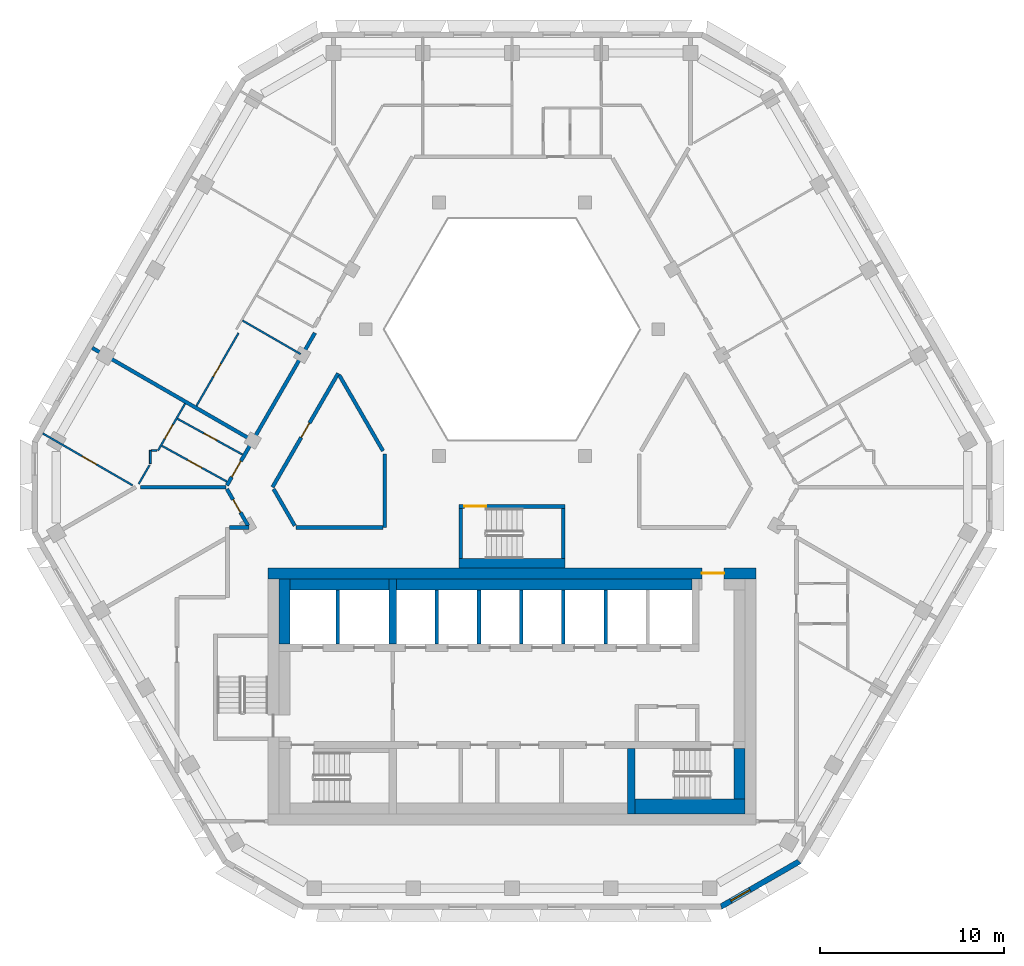
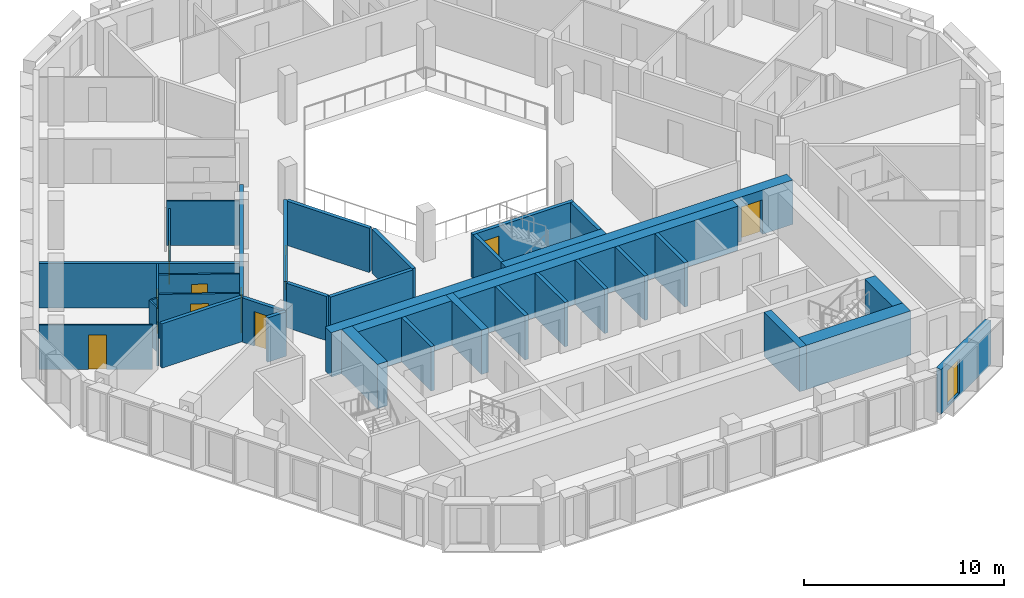
# One storey, part 4 of 15: 38 walls, 10 doors, 1 window, 11 openings.
"""IFC4 building model written with IfcOpenShell, lengths in metres."""

from ifc_helpers import new_model, si_unit, direction, frame, frame_2d, origin, place, context, subcontext, project, spatial, polyline, rectangle, outline, extrude, material, layer, layer_set, type_object, element, fill, save


model = new_model("IFC4")

# Units and contexts
model_context = context("Model", 3, precision=1e-05, world=origin(), true_north=direction((0.0, 1.0)))
body_context = subcontext(model_context, "Body", "Model", "MODEL_VIEW")
ifc_project = project(units=[si_unit("LENGTHUNIT", "METRE"), si_unit("AREAUNIT", "SQUARE_METRE"), si_unit("VOLUMEUNIT", "CUBIC_METRE"), si_unit("PLANEANGLEUNIT", "RADIAN"), si_unit("MASSUNIT", "GRAM", prefix="KILO")], contexts=[model_context])

# Site, building, storey
site_placement = place(None, origin())
site = spatial("IfcSite", under=ifc_project, at=site_placement, CompositionType="ELEMENT")
building_placement = place(site_placement, origin())
building = spatial("IfcBuilding", under=site, at=building_placement, Name="Beryl Residences", CompositionType="ELEMENT")
storey_placement = place(building_placement, frame((0.0, 0.0, 193.199951171875)))
storey = spatial("IfcBuildingStorey", under=building, at=storey_placement, Name="L59", CompositionType="ELEMENT", Elevation=193.199951171875)

# Wall, opening, window
ifc_material_1 = material(Name="Composite metal panel with mineral wool insulation")
ifc_layer_1 = layer(ifc_material_1, 0.300048828125)
ifc_layer_set_1 = layer_set([ifc_layer_1], Name="ES1 pale metal composite panel wall 300 mm")
wall_type_1 = type_object("IfcWallType", Name="ES1 pale metal composite panel wall 300 mm", PredefinedType="SOLIDWALL", material=ifc_layer_set_1)
wall_1_placement = place(storey_placement, frame((11.35595703125, -23.469970703125, 0.0), z_axis=(0.0, 0.0, 1.0), x_axis=(0.866022959057, 0.500004234368, 0.0)))
wall_1 = element("IfcWall", 1, at=wall_1_placement, inside=storey, type_object=wall_type_1, Name="ES1 external wall L59 S-SE", PredefinedType="SOLIDWALL", context=body_context, shape_type="SweptSolid", body=[
    extrude(outline(polyline([(0.0, -0.14990234375), (5.0, -0.14990234375), (4.919677734375, 0.14990234375), (0.080322265625, 0.14990234375), (0.0, -0.14990234375)])), origin(), (0.0, 0.0, 1.0), 2.699951171875),
])
opening_1_placement = place(wall_1_placement, frame((0.64990234375, 0.0, 0.14990234375)))
opening_1 = element("IfcOpeningElement", 2, at=opening_1_placement, cuts=wall_1, Name="Opening W2", PredefinedType="OPENING", context=body_context, shape_type="SweptSolid", body=[
    extrude(rectangle(XDim=1.199951171875, YDim=2.10009765625, at=frame_2d((0.60009765625, 1.050048828125))), frame((0.0, 0.159912109375, 0.0), z_axis=(0.0, -1.0, 0.0), x_axis=(1.0, 0.0, 0.0)), (0.0, 0.0, 1.0), 0.320068359375),
])
ifc_material_2 = material(Name="Aluminium and clear glass", Category="aluminium")
window_type = type_object("IfcWindowType", Name="W2 chamfer window 1200 x 2100 mm", PartitioningType="SINGLE_PANEL", PredefinedType="WINDOW", material=ifc_material_2)
window_placement = place(opening_1_placement, origin())
window = element("IfcWindow", 3, at=window_placement, inside=storey, type_object=window_type, Name="W2 window L59 S-SE 1", OverallHeight=2.10009765625, OverallWidth=1.199951171875, PartitioningType="SINGLE_PANEL", PredefinedType="WINDOW", context=body_context, shape_type="SweptSolid", body=[
    extrude(rectangle(XDim=1.199951171875, YDim=2.10009765625, at=frame_2d((0.60009765625, 1.050048828125))), frame((0.0, 0.030029296875, 0.0), z_axis=(0.0, -1.0, 0.0), x_axis=(1.0, 0.0, 0.0)), (0.0, 0.0, 1.0), 0.06005859375),
])
fill(opening_1, window)

# Wall, opening, door
ifc_material_3 = material(Name="Gypsum board partition on steel studs", Category="steel")
ifc_layer_2 = layer(ifc_material_3, 0.10009765625)
ifc_layer_set_2 = layer_set([ifc_layer_2], Name="PT1 partition 100 mm gypsum board on steel studs")
wall_type_2 = type_object("IfcWallType", Name="PT1 partition 100 mm gypsum board on steel studs", PredefinedType="PARTITIONING", material=ifc_layer_set_2)
wall_2_placement = place(storey_placement, frame((-18.22900390625, 3.1259765625, 0.0), z_axis=(0.0, 0.0, 1.0), x_axis=(0.876123002581, -0.482087631399, 0.0)))
wall_2 = element("IfcWall", 4, at=wall_2_placement, inside=storey, type_object=wall_type_2, Name="Wall PT1 L59 008", PredefinedType="PARTITIONING", context=body_context, shape_type="SweptSolid", body=[
    extrude(rectangle(XDim=4.05078125, YDim=0.10009765625, at=frame_2d((2.025390625, 0.0))), origin(), (0.0, 0.0, 1.0), 2.699951171875),
])
opening_2_placement = place(wall_2_placement, frame((1.64990234375, 0.0, 0.0)))
opening_2 = element("IfcOpeningElement", 5, at=opening_2_placement, cuts=wall_2, Name="Opening D1727", PredefinedType="OPENING", context=body_context, shape_type="SweptSolid", body=[
    extrude(rectangle(XDim=0.800048828125, YDim=2.10009765625, at=frame_2d((0.39990234375, 1.050048828125))), frame((0.0, 0.06005859375, 0.0), z_axis=(0.0, -1.0, 0.0), x_axis=(1.0, 0.0, 0.0)), (0.0, 0.0, 1.0), 0.1201171875),
])
ifc_material_4 = material(Name="Timber door leaf", Category="wood")
door_type_1 = type_object("IfcDoorType", Name="D3 bathroom door 800 x 2100 mm", OperationType="SINGLE_SWING_LEFT", PredefinedType="DOOR", material=ifc_material_4)
door_1_placement = place(opening_2_placement, origin())
door_1 = element("IfcDoor", 6, at=door_1_placement, inside=storey, type_object=door_type_1, Name="Door D1727 L59 001", OperationType="SINGLE_SWING_LEFT", OverallHeight=2.10009765625, OverallWidth=0.800048828125, PredefinedType="DOOR", context=body_context, shape_type="SweptSolid", body=[
    extrude(rectangle(XDim=0.800048828125, YDim=2.10009765625, at=frame_2d((0.39990234375, 1.050048828125))), frame((0.0, 0.02490234375, 0.0), z_axis=(0.0, -1.0, 0.0), x_axis=(1.0, 0.0, 0.0)), (0.0, 0.0, 1.0), 0.050048828125),
])
fill(opening_2, door_1)

wall_3_placement = place(storey_placement, frame((-19.0791015625, 1.653076171875, 0.0), z_axis=(0.0, 0.0, 1.0), x_axis=(0.876097546615, -0.482133890963, 0.0)))
wall_3 = element("IfcWall", 7, at=wall_3_placement, inside=storey, type_object=wall_type_2, Name="Wall PT1 L59 009", PredefinedType="PARTITIONING", context=body_context, shape_type="SweptSolid", body=[
    extrude(rectangle(XDim=4.051025390625, YDim=0.10009765625, at=frame_2d((2.025390625, 0.0))), origin(), (0.0, 0.0, 1.0), 2.699951171875),
])
opening_3_placement = place(wall_3_placement, frame((1.60009765625, 0.0, 0.0)))
opening_3 = element("IfcOpeningElement", 8, at=opening_3_placement, cuts=wall_3, Name="Opening D1726", PredefinedType="OPENING", context=body_context, shape_type="SweptSolid", body=[
    extrude(rectangle(XDim=0.89990234375, YDim=2.10009765625, at=frame_2d((0.449951171875, 1.050048828125))), frame((0.0, 0.06005859375, 0.0), z_axis=(0.0, -1.0, 0.0), x_axis=(1.0, 0.0, 0.0)), (0.0, 0.0, 1.0), 0.1201171875),
])
ifc_material_5 = material(Name="Timber door leaf", Category="wood")
door_type_2 = type_object("IfcDoorType", Name="D2 room door 900 x 2100 mm", OperationType="SINGLE_SWING_LEFT", PredefinedType="DOOR", material=ifc_material_5)
door_2_placement = place(opening_3_placement, origin())
door_2 = element("IfcDoor", 9, at=door_2_placement, inside=storey, type_object=door_type_2, Name="Door D1726 L59 001", OperationType="SINGLE_SWING_RIGHT", OverallHeight=2.10009765625, OverallWidth=0.89990234375, PredefinedType="DOOR", context=body_context, shape_type="SweptSolid", body=[
    extrude(rectangle(XDim=0.89990234375, YDim=2.10009765625, at=frame_2d((0.449951171875, 1.050048828125))), frame((0.0, 0.02490234375, 0.0), z_axis=(0.0, -1.0, 0.0), x_axis=(1.0, 0.0, 0.0)), (0.0, 0.0, 1.0), 0.050048828125),
])
fill(opening_3, door_2)

wall_4_placement = place(storey_placement, frame((-25.56201171875, 2.324951171875, 0.0), z_axis=(0.0, 0.0, 1.0), x_axis=(0.865998530728, -0.500046542611, 0.0)))
wall_4 = element("IfcWall", 10, at=wall_4_placement, inside=storey, type_object=wall_type_2, Name="Wall PT1 L59 012", PredefinedType="PARTITIONING", context=body_context, shape_type="SweptSolid", body=[
    extrude(rectangle(XDim=5.6513671875, YDim=0.10009765625, at=frame_2d((2.82568359375, 0.0))), origin(), (0.0, 0.0, 1.0), 2.699951171875),
])
opening_4_placement = place(wall_4_placement, frame((2.47607421875, 0.0, 0.0)))
opening_4 = element("IfcOpeningElement", 11, at=opening_4_placement, cuts=wall_4, Name="Opening D1729", PredefinedType="OPENING", context=body_context, shape_type="SweptSolid", body=[
    extrude(rectangle(XDim=0.89990234375, YDim=2.10009765625, at=frame_2d((0.449951171875, 1.050048828125))), frame((0.0, 0.06005859375, 0.0), z_axis=(0.0, -1.0, 0.0), x_axis=(1.0, 0.0, 0.0)), (0.0, 0.0, 1.0), 0.1201171875),
])
door_3_placement = place(opening_4_placement, origin())
door_3 = element("IfcDoor", 12, at=door_3_placement, inside=storey, type_object=door_type_2, Name="Door D1729 L59 001", OperationType="SINGLE_SWING_LEFT", OverallHeight=2.10009765625, OverallWidth=0.89990234375, PredefinedType="DOOR", context=body_context, shape_type="SweptSolid", body=[
    extrude(rectangle(XDim=0.89990234375, YDim=2.10009765625, at=frame_2d((0.449951171875, 1.050048828125))), frame((0.0, 0.02490234375, 0.0), z_axis=(0.0, -1.0, 0.0), x_axis=(1.0, 0.0, 0.0)), (0.0, 0.0, 1.0), 0.050048828125),
])
fill(opening_4, door_3)

# Walls
wall_5_placement = place(storey_placement, frame((-14.678955078125, 8.47509765625, 0.0), z_axis=(0.0, 0.0, 1.0), x_axis=(0.865995104784, -0.500052475737, 0.0)))
element("IfcWall", 13, at=wall_5_placement, inside=storey, type_object=wall_type_2, Name="Wall PT1 L59 013", PredefinedType="PARTITIONING", context=body_context, shape_type="SweptSolid", body=[
    extrude(rectangle(XDim=3.64990234375, YDim=0.10009765625, at=frame_2d((1.824951171875, 0.0))), origin(), (0.0, 0.0, 1.0), 2.699951171875),
])
wall_6_placement = place(storey_placement, frame((-19.64990234375, 1.39990234375, 0.0), z_axis=(0.0, 0.0, 1.0), x_axis=(1.0, 0.0, 0.0)))
element("IfcWall", 14, at=wall_6_placement, inside=storey, type_object=wall_type_2, Name="Wall PT1 L59 019", PredefinedType="PARTITIONING", context=body_context, shape_type="SweptSolid", body=[
    extrude(rectangle(XDim=0.308837890625, YDim=0.10009765625, at=frame_2d((0.154296875, 0.0))), origin(), (0.0, 0.0, 1.0), 2.699951171875),
])

# Wall, opening, door
wall_7_placement = place(storey_placement, frame((-17.19091796875, 3.823974609375, 0.0), z_axis=(0.0, 0.0, 1.0), x_axis=(0.499891250406, 0.866088181288, 0.0)))
wall_7 = element("IfcWall", 15, at=wall_7_placement, inside=storey, type_object=wall_type_2, Name="Wall PT1 L59 025", PredefinedType="PARTITIONING", context=body_context, shape_type="SweptSolid", body=[
    extrude(rectangle(XDim=4.5908203125, YDim=0.10009765625, at=frame_2d((2.29541015625, 0.0))), origin(), (0.0, 0.0, 1.0), 2.699951171875),
])
opening_5_placement = place(wall_7_placement, frame((1.844970703125, 0.0, 0.0)))
opening_5 = element("IfcOpeningElement", 16, at=opening_5_placement, cuts=wall_7, Name="Opening D1722", PredefinedType="OPENING", context=body_context, shape_type="SweptSolid", body=[
    extrude(rectangle(XDim=0.800048828125, YDim=2.10009765625, at=frame_2d((0.39990234375, 1.050048828125))), frame((0.0, 0.06005859375, 0.0), z_axis=(0.0, -1.0, 0.0), x_axis=(1.0, 0.0, 0.0)), (0.0, 0.0, 1.0), 0.1201171875),
])
door_4_placement = place(opening_5_placement, origin())
door_4 = element("IfcDoor", 17, at=door_4_placement, inside=storey, type_object=door_type_1, Name="Door D1722 L59 001", OperationType="SINGLE_SWING_RIGHT", OverallHeight=2.10009765625, OverallWidth=0.800048828125, PredefinedType="DOOR", context=body_context, shape_type="SweptSolid", body=[
    extrude(rectangle(XDim=0.800048828125, YDim=2.10009765625, at=frame_2d((0.39990234375, 1.050048828125))), frame((0.0, 0.02490234375, 0.0), z_axis=(0.0, -1.0, 0.0), x_axis=(1.0, 0.0, 0.0)), (0.0, 0.0, 1.0), 0.050048828125),
])
fill(opening_5, door_4)

# Wall
wall_8_placement = place(storey_placement, frame((-20.337890625, -0.427001953125, 0.0), z_axis=(0.0, 0.0, 1.0), x_axis=(0.500069990121, 0.865984991198, 0.0)))
element("IfcWall", 18, at=wall_8_placement, inside=storey, type_object=wall_type_2, Name="Wall PT1 L59 027", PredefinedType="PARTITIONING", context=body_context, shape_type="SweptSolid", body=[
    extrude(rectangle(XDim=1.175537109375, YDim=0.10009765625, at=frame_2d((0.587890625, 0.0))), origin(), (0.0, 0.0, 1.0), 2.699951171875),
])

# Wall, opening, door
wall_9_placement = place(storey_placement, frame((-19.282958984375, 1.39990234375, 0.0), z_axis=(0.0, 0.0, 1.0), x_axis=(0.500160189342, 0.865932898669, 0.0)))
wall_9 = element("IfcWall", 19, at=wall_9_placement, inside=storey, type_object=wall_type_2, Name="Wall PT1 L59 028", PredefinedType="PARTITIONING", context=body_context, shape_type="SweptSolid", body=[
    extrude(rectangle(XDim=2.94482421875, YDim=0.10009765625, at=frame_2d((1.472412109375, 0.0))), origin(), (0.0, 0.0, 1.0), 2.699951171875),
])
opening_6_placement = place(wall_9_placement, frame((0.720947265625, 0.0, 0.0)))
opening_6 = element("IfcOpeningElement", 20, at=opening_6_placement, cuts=wall_9, Name="Opening D1728", PredefinedType="OPENING", context=body_context, shape_type="SweptSolid", body=[
    extrude(rectangle(XDim=0.89990234375, YDim=2.10009765625, at=frame_2d((0.449951171875, 1.050048828125))), frame((0.0, 0.06005859375, 0.0), z_axis=(0.0, -1.0, 0.0), x_axis=(1.0, 0.0, 0.0)), (0.0, 0.0, 1.0), 0.1201171875),
])
door_5_placement = place(opening_6_placement, origin())
door_5 = element("IfcDoor", 21, at=door_5_placement, inside=storey, type_object=door_type_2, Name="Door D1728 L59 001", OperationType="SINGLE_SWING_RIGHT", OverallHeight=2.10009765625, OverallWidth=0.89990234375, PredefinedType="DOOR", context=body_context, shape_type="SweptSolid", body=[
    extrude(rectangle(XDim=0.89990234375, YDim=2.10009765625, at=frame_2d((0.449951171875, 1.050048828125))), frame((0.0, 0.02490234375, 0.0), z_axis=(0.0, -1.0, 0.0), x_axis=(1.0, 0.0, 0.0)), (0.0, 0.0, 1.0), 0.050048828125),
])
fill(opening_6, door_5)

# Walls
wall_10_placement = place(storey_placement, frame((-19.699951171875, 0.677978515625, 0.0), z_axis=(0.0, 0.0, 1.0), x_axis=(0.0, 1.0, 0.0)))
element("IfcWall", 22, at=wall_10_placement, inside=storey, type_object=wall_type_2, Name="Wall PT1 L59 036", PredefinedType="PARTITIONING", context=body_context, shape_type="SweptSolid", body=[
    extrude(rectangle(XDim=0.721923828125, YDim=0.10009765625, at=frame_2d((0.36083984375, 0.0))), origin(), (0.0, 0.0, 1.0), 2.699951171875),
])
ifc_material_6 = material(Name="Acoustic double stud gypsum board wall")
ifc_layer_3 = layer(ifc_material_6, 0.199951171875)
ifc_layer_set_3 = layer_set([ifc_layer_3], Name="PT3 party wall 200 mm acoustic double stud")
wall_type_3 = type_object("IfcWallType", Name="PT3 party wall 200 mm acoustic double stud", PredefinedType="PARTITIONING", material=ifc_layer_set_3)
wall_11_placement = place(storey_placement, frame((-22.8701171875, 6.987060546875, 0.0), z_axis=(0.0, 0.0, 1.0), x_axis=(0.866022959057, -0.500004234368, 0.0)))
element("IfcWall", 23, at=wall_11_placement, inside=storey, type_object=wall_type_3, Name="Wall PT3 L59 003", PredefinedType="PARTITIONING", context=body_context, shape_type="SweptSolid", body=[
    extrude(rectangle(XDim=10.0, YDim=0.199951171875, at=frame_2d((5.0, 0.0))), origin(), (0.0, 0.0, 1.0), 2.699951171875),
])
wall_12_placement = place(storey_placement, frame((-20.238037109375, -0.60107421875, 0.0), z_axis=(0.0, 0.0, 1.0), x_axis=(1.0, 0.0, 0.0)))
element("IfcWall", 24, at=wall_12_placement, inside=storey, type_object=wall_type_3, Name="Wall PT3 L59 005", PredefinedType="PARTITIONING", context=body_context, shape_type="SweptSolid", body=[
    extrude(rectangle(XDim=4.650146484375, YDim=0.199951171875, at=frame_2d((2.3251953125, 0.0))), origin(), (0.0, 0.0, 1.0), 2.699951171875),
])
ifc_material_7 = material(Name="Double stud gypsum board wall")
ifc_layer_4 = layer(ifc_material_7, 0.199951171875)
ifc_layer_set_4 = layer_set([ifc_layer_4], Name="PT4 corridor wall 200 mm double stud")
wall_type_4 = type_object("IfcWallType", Name="PT4 corridor wall 200 mm double stud", PredefinedType="PARTITIONING", material=ifc_layer_set_4)
wall_13_placement = place(storey_placement, frame((-9.410888671875, 5.5, 0.0), z_axis=(0.0, 0.0, 1.0), x_axis=(0.500018099276, -0.86601495391, 0.0)))
element("IfcWall", 25, at=wall_13_placement, inside=storey, type_object=wall_type_4, Name="Wall PT4 L59 001", PredefinedType="PARTITIONING", context=body_context, shape_type="SweptSolid", body=[
    extrude(rectangle(XDim=4.765380859375, YDim=0.199951171875, at=frame_2d((2.3828125, 0.0))), origin(), (0.0, 0.0, 1.0), 2.699951171875),
])
wall_14_placement = place(storey_placement, frame((-12.989990234375, -0.700927734375, 0.0), z_axis=(0.0, 0.0, 1.0), x_axis=(0.499972710878, -0.866041158593, 0.0)))
element("IfcWall", 26, at=wall_14_placement, inside=storey, type_object=wall_type_4, Name="Wall PT4 L59 002", PredefinedType="PARTITIONING", context=body_context, shape_type="SweptSolid", body=[
    extrude(rectangle(XDim=2.308349609375, YDim=0.199951171875, at=frame_2d((1.154296875, 0.0))), origin(), (0.0, 0.0, 1.0), 2.699951171875),
])

# Wall, opening, door
wall_15_placement = place(storey_placement, frame((-15.530029296875, -0.700927734375, 0.0), z_axis=(0.0, 0.0, 1.0), x_axis=(0.499972710878, -0.866041158593, 0.0)))
wall_15 = element("IfcWall", 27, at=wall_15_placement, inside=storey, type_object=wall_type_4, Name="Wall PT4 L59 003", PredefinedType="PARTITIONING", context=body_context, shape_type="SweptSolid", body=[
    extrude(rectangle(XDim=2.308349609375, YDim=0.199951171875, at=frame_2d((1.154296875, 0.0))), origin(), (0.0, 0.0, 1.0), 2.699951171875),
])
opening_7_placement = place(wall_15_placement, frame((0.674072265625, 0.0, 0.0)))
opening_7 = element("IfcOpeningElement", 28, at=opening_7_placement, cuts=wall_15, Name="Opening D1730", PredefinedType="OPENING", context=body_context, shape_type="SweptSolid", body=[
    extrude(rectangle(XDim=0.800048828125, YDim=2.10009765625, at=frame_2d((0.39990234375, 1.050048828125))), frame((0.0, 0.10986328125, 0.0), z_axis=(0.0, -1.0, 0.0), x_axis=(1.0, 0.0, 0.0)), (0.0, 0.0, 1.0), 0.219970703125),
])
door_6_placement = place(opening_7_placement, origin())
door_6 = element("IfcDoor", 29, at=door_6_placement, inside=storey, type_object=door_type_1, Name="Door D1730 L59 001", OperationType="SINGLE_SWING_RIGHT", OverallHeight=2.10009765625, OverallWidth=0.800048828125, PredefinedType="DOOR", context=body_context, shape_type="SweptSolid", body=[
    extrude(rectangle(XDim=0.800048828125, YDim=2.10009765625, at=frame_2d((0.39990234375, 1.050048828125))), frame((0.0, 0.02490234375, 0.0), z_axis=(0.0, -1.0, 0.0), x_axis=(1.0, 0.0, 0.0)), (0.0, 0.0, 1.0), 0.050048828125),
])
fill(opening_7, door_6)

# Walls
wall_16_placement = place(storey_placement, frame((-15.39892578125, -2.800048828125, 0.0), z_axis=(0.0, 0.0, 1.0), x_axis=(1.0, 0.0, 0.0)))
element("IfcWall", 30, at=wall_16_placement, inside=storey, type_object=wall_type_4, Name="Wall PT4 L59 010", PredefinedType="PARTITIONING", context=body_context, shape_type="SweptSolid", body=[
    extrude(rectangle(XDim=1.080810546875, YDim=0.199951171875, at=frame_2d((0.54052734375, 0.0))), origin(), (0.0, 0.0, 1.0), 2.699951171875),
])
wall_17_placement = place(storey_placement, frame((-11.778076171875, -2.800048828125, 0.0), z_axis=(0.0, 0.0, 1.0), x_axis=(1.0, 0.0, 0.0)))
element("IfcWall", 31, at=wall_17_placement, inside=storey, type_object=wall_type_4, Name="Wall PT4 L59 011", PredefinedType="PARTITIONING", context=body_context, shape_type="SweptSolid", body=[
    extrude(rectangle(XDim=4.75, YDim=0.199951171875, at=frame_2d((2.375, 0.0))), origin(), (0.0, 0.0, 1.0), 2.699951171875),
])

# Wall, opening, door
wall_18_placement = place(storey_placement, frame((-13.048095703125, -0.60107421875, 0.0), z_axis=(0.0, 0.0, 1.0), x_axis=(0.499982180423, 0.866035691677, 0.0)))
wall_18 = element("IfcWall", 32, at=wall_18_placement, inside=storey, type_object=wall_type_4, Name="Wall PT4 L59 018", PredefinedType="PARTITIONING", context=body_context, shape_type="SweptSolid", body=[
    extrude(rectangle(XDim=7.160400390625, YDim=0.199951171875, at=frame_2d((3.580078125, 0.0))), origin(), (0.0, 0.0, 1.0), 2.699951171875),
])
opening_8_placement = place(wall_18_placement, frame((3.1298828125, 0.0, 0.0)))
opening_8 = element("IfcOpeningElement", 33, at=opening_8_placement, cuts=wall_18, Name="Opening D1742", PredefinedType="OPENING", context=body_context, shape_type="SweptSolid", body=[
    extrude(rectangle(XDim=0.89990234375, YDim=2.10009765625, at=frame_2d((0.449951171875, 1.050048828125))), frame((0.0, 0.10986328125, 0.0), z_axis=(0.0, -1.0, 0.0), x_axis=(1.0, 0.0, 0.0)), (0.0, 0.0, 1.0), 0.219970703125),
])
door_7_placement = place(opening_8_placement, origin())
door_7 = element("IfcDoor", 34, at=door_7_placement, inside=storey, type_object=door_type_2, Name="Door D1742 L59 001", OperationType="SINGLE_SWING_RIGHT", OverallHeight=2.10009765625, OverallWidth=0.89990234375, PredefinedType="DOOR", context=body_context, shape_type="SweptSolid", body=[
    extrude(rectangle(XDim=0.89990234375, YDim=2.10009765625, at=frame_2d((0.449951171875, 1.050048828125))), frame((0.0, 0.02490234375, 0.0), z_axis=(0.0, -1.0, 0.0), x_axis=(1.0, 0.0, 0.0)), (0.0, 0.0, 1.0), 0.050048828125),
])
fill(opening_8, door_7)

wall_19_placement = place(storey_placement, frame((-15.530029296875, -0.5009765625, 0.0), z_axis=(0.0, 0.0, 1.0), x_axis=(0.499952498232, 0.866052827206, 0.0)))
wall_19 = element("IfcWall", 35, at=wall_19_placement, inside=storey, type_object=wall_type_4, Name="Wall PT4 L59 019", PredefinedType="PARTITIONING", context=body_context, shape_type="SweptSolid", body=[
    extrude(rectangle(XDim=9.5849609375, YDim=0.199951171875, at=frame_2d((4.79248046875, 0.0))), origin(), (0.0, 0.0, 1.0), 2.699951171875),
])
opening_9_placement = place(wall_19_placement, frame((0.52490234375, 0.0, 0.0)))
opening_9 = element("IfcOpeningElement", 36, at=opening_9_placement, cuts=wall_19, Name="Opening D1725", PredefinedType="OPENING", context=body_context, shape_type="SweptSolid", body=[
    extrude(rectangle(XDim=1.0, YDim=2.10009765625, at=frame_2d((0.5, 1.050048828125))), frame((0.0, 0.10986328125, 0.0), z_axis=(0.0, -1.0, 0.0), x_axis=(1.0, 0.0, 0.0)), (0.0, 0.0, 1.0), 0.219970703125),
])
ifc_material_8 = material(Name="Timber door leaf", Category="wood")
door_type_3 = type_object("IfcDoorType", Name="D1 flat entrance door 1000 x 2100 mm", OperationType="SINGLE_SWING_LEFT", PredefinedType="DOOR", material=ifc_material_8)
door_8_placement = place(opening_9_placement, origin())
door_8 = element("IfcDoor", 37, at=door_8_placement, inside=storey, type_object=door_type_3, Name="Door D1725 L59 001", OperationType="SINGLE_SWING_LEFT", OverallHeight=2.10009765625, OverallWidth=1.0, PredefinedType="DOOR", context=body_context, shape_type="SweptSolid", body=[
    extrude(rectangle(XDim=1.0, YDim=2.10009765625, at=frame_2d((0.5, 1.050048828125))), frame((0.0, 0.02490234375, 0.0), z_axis=(0.0, -1.0, 0.0), x_axis=(1.0, 0.0, 0.0)), (0.0, 0.0, 1.0), 0.050048828125),
])
fill(opening_9, door_8)

# Wall
wall_20_placement = place(storey_placement, frame((-6.927978515625, -2.800048828125, 0.0), z_axis=(0.0, 0.0, 1.0), x_axis=(0.0, 1.0, 0.0)))
element("IfcWall", 38, at=wall_20_placement, inside=storey, type_object=wall_type_4, Name="Wall PT4 L59 023", PredefinedType="PARTITIONING", context=body_context, shape_type="SweptSolid", body=[
    extrude(rectangle(XDim=4.0, YDim=0.199951171875, at=frame_2d((2.0, 0.0))), origin(), (0.0, 0.0, 1.0), 2.699951171875),
])

# Wall, opening, door
ifc_material_9 = material(Name="Concrete C40/50", Category="concrete")
ifc_layer_5 = layer(ifc_material_9, 0.199951171875)
ifc_layer_set_5 = layer_set([ifc_layer_5], Name="PT5 stair enclosure wall 200 mm reinforced concrete C40/50")
wall_type_5 = type_object("IfcWallType", Name="PT5 stair enclosure wall 200 mm reinforced concrete C40/50", PredefinedType="SOLIDWALL", material=ifc_layer_set_5)
wall_21_placement = place(storey_placement, frame((-2.89990234375, -1.64990234375, 0.0), z_axis=(0.0, 0.0, 1.0), x_axis=(1.0, 0.0, 0.0)))
wall_21 = element("IfcWall", 39, at=wall_21_placement, inside=storey, type_object=wall_type_5, Name="Wall PT5 L59 001", PredefinedType="SOLIDWALL", context=body_context, shape_type="SweptSolid", body=[
    extrude(rectangle(XDim=5.7998046875, YDim=0.199951171875, at=frame_2d((2.89990234375, 0.0))), origin(), (0.0, 0.0, 1.0), 2.699951171875),
])
opening_10_placement = place(wall_21_placement, frame((0.300048828125, 0.0, 0.0)))
opening_10 = element("IfcOpeningElement", 40, at=opening_10_placement, cuts=wall_21, Name="Opening DS04", PredefinedType="OPENING", context=body_context, shape_type="SweptSolid", body=[
    extrude(rectangle(XDim=1.199951171875, YDim=2.10009765625, at=frame_2d((0.60009765625, 1.050048828125))), frame((0.0, 0.10986328125, 0.0), z_axis=(0.0, -1.0, 0.0), x_axis=(1.0, 0.0, 0.0)), (0.0, 0.0, 1.0), 0.219970703125),
])
ifc_material_10 = material(Name="Steel door leaf in steel frame", Category="steel")
door_type_4 = type_object("IfcDoorType", Name="D4 stair door 1200 x 2100 mm", OperationType="SINGLE_SWING_LEFT", PredefinedType="DOOR", material=ifc_material_10)
door_9_placement = place(opening_10_placement, origin())
door_9 = element("IfcDoor", 41, at=door_9_placement, inside=storey, type_object=door_type_4, Name="Door DS04 L59 001", OperationType="SINGLE_SWING_LEFT", OverallHeight=2.10009765625, OverallWidth=1.199951171875, PredefinedType="DOOR", context=body_context, shape_type="SweptSolid", body=[
    extrude(rectangle(XDim=1.199951171875, YDim=2.10009765625, at=frame_2d((0.60009765625, 1.050048828125))), frame((0.0, 0.02490234375, 0.0), z_axis=(0.0, -1.0, 0.0), x_axis=(1.0, 0.0, 0.0)), (0.0, 0.0, 1.0), 0.050048828125),
])
fill(opening_10, door_9)

# Walls
for number, where, z_axis, x_axis, name in (
    (42, (-2.800048828125, -4.5, 0.0), (0.0, 0.0, 1.0), (0.0, 1.0, 0.0), "Wall PT5 L59 002"),
    (43, (2.800048828125, -4.5, 0.0), (0.0, 0.0, 1.0), (0.0, 1.0, 0.0), "Wall PT5 L59 003"),
):
    element("IfcWall", number, at=place(storey_placement, frame(where, z_axis=z_axis, x_axis=x_axis)), inside=storey, type_object=wall_type_5, Name=name, PredefinedType="SOLIDWALL", context=body_context, shape_type="SweptSolid", body=[
        extrude(rectangle(XDim=2.75, YDim=0.199951171875, at=frame_2d((1.375, 0.0))), origin(), (0.0, 0.0, 1.0), 2.699951171875),
    ])
ifc_material_11 = material(Name="Concrete C40/50", Category="concrete")
ifc_layer_6 = layer(ifc_material_11, 0.5)
ifc_layer_set_6 = layer_set([ifc_layer_6], Name="PT5-500 stair enclosure wall 500 mm")
wall_type_6 = type_object("IfcWallType", Name="PT5-500 stair enclosure wall 500 mm", PredefinedType="SOLIDWALL", material=ifc_layer_set_6)
wall_22_placement = place(storey_placement, frame((-2.89990234375, -4.75, 0.0), z_axis=(0.0, 0.0, 1.0), x_axis=(1.0, 0.0, 0.0)))
element("IfcWall", 44, at=wall_22_placement, inside=storey, type_object=wall_type_6, Name="Wall PT5-500 L59 001", PredefinedType="SOLIDWALL", context=body_context, shape_type="SweptSolid", body=[
    extrude(rectangle(XDim=5.7998046875, YDim=0.5, at=frame_2d((2.89990234375, 0.0))), origin(), (0.0, 0.0, 1.0), 2.699951171875),
])
ifc_material_12 = material(Name="Concrete C40/50", Category="concrete")
ifc_layer_7 = layer(ifc_material_12, 0.60009765625)
ifc_layer_set_7 = layer_set([ifc_layer_7], Name="PT5-600 stair enclosure wall 600 mm")
wall_type_7 = type_object("IfcWallType", Name="PT5-600 stair enclosure wall 600 mm", PredefinedType="SOLIDWALL", material=ifc_layer_set_7)
wall_23_placement = place(storey_placement, frame((12.39990234375, -17.60009765625, 0.0), z_axis=(0.0, 0.0, 1.0), x_axis=(0.0, 1.0, 0.0)))
element("IfcWall", 45, at=wall_23_placement, inside=storey, type_object=wall_type_7, Name="Stair wall 30", PredefinedType="SOLIDWALL", context=body_context, shape_type="SweptSolid", body=[
    extrude(rectangle(XDim=2.75, YDim=0.60009765625, at=frame_2d((1.375, 0.0))), origin(), (0.0, 0.0, 1.0), 2.699951171875),
])
ifc_material_13 = material(Name="Concrete C40/50", Category="concrete")
ifc_layer_8 = layer(ifc_material_13, 0.800048828125)
ifc_layer_set_8 = layer_set([ifc_layer_8], Name="PT5-800 stair enclosure wall 800 mm")
wall_type_8 = type_object("IfcWallType", Name="PT5-800 stair enclosure wall 800 mm", PredefinedType="SOLIDWALL", material=ifc_layer_set_8)
wall_24_placement = place(storey_placement, frame((6.699951171875, -18.0, 0.0), z_axis=(0.0, 0.0, 1.0), x_axis=(1.0, 0.0, 0.0)))
element("IfcWall", 46, at=wall_24_placement, inside=storey, type_object=wall_type_8, Name="Stair wall 23", PredefinedType="SOLIDWALL", context=body_context, shape_type="SweptSolid", body=[
    extrude(rectangle(XDim=6.0, YDim=0.800048828125, at=frame_2d((3.0, 0.0))), origin(), (0.0, 0.0, 1.0), 2.699951171875),
])
ifc_material_14 = material(Name="Concrete C40/50", Category="concrete")
ifc_layer_9 = layer(ifc_material_14, 0.199951171875)
ifc_layer_set_9 = layer_set([ifc_layer_9], Name="PT6 lift shaft wall 200 mm reinforced concrete C40/50")
wall_type_9 = type_object("IfcWallType", Name="PT6 lift shaft wall 200 mm reinforced concrete C40/50", PredefinedType="SOLIDWALL", material=ifc_layer_set_9)
for number, where, z_axis, x_axis, name in (
    (47, (-9.5, -9.14990234375, 0.0), (0.0, 0.0, 1.0), (0.0, 1.0, 0.0), "Lift shaft wall 11"),
    (48, (-4.10009765625, -9.14990234375, 0.0), (0.0, 0.0, 1.0), (0.0, 1.0, 0.0), "Lift shaft wall 15"),
    (49, (-1.800048828125, -9.14990234375, 0.0), (0.0, 0.0, 1.0), (0.0, 1.0, 0.0), "Lift shaft wall 17"),
    (50, (0.5, -9.14990234375, 0.0), (0.0, 0.0, 1.0), (0.0, 1.0, 0.0), "Lift shaft wall 19"),
    (51, (2.800048828125, -9.14990234375, 0.0), (0.0, 0.0, 1.0), (0.0, 1.0, 0.0), "Lift shaft wall 21"),
    (52, (5.10009765625, -9.14990234375, 0.0), (0.0, 0.0, 1.0), (0.0, 1.0, 0.0), "Lift shaft wall 22"),
):
    element("IfcWall", number, at=place(storey_placement, frame(where, z_axis=z_axis, x_axis=x_axis)), inside=storey, type_object=wall_type_9, Name=name, PredefinedType="SOLIDWALL", context=body_context, shape_type="SweptSolid", body=[
        extrude(rectangle(XDim=2.949951171875, YDim=0.199951171875, at=frame_2d((1.47509765625, 0.0))), origin(), (0.0, 0.0, 1.0), 2.699951171875),
    ])
ifc_material_15 = material(Name="Concrete C40/50", Category="concrete")
ifc_layer_10 = layer(ifc_material_15, 0.60009765625)
ifc_layer_set_10 = layer_set([ifc_layer_10], Name="PT6-600 lift shaft wall 600 mm")
wall_type_10 = type_object("IfcWallType", Name="PT6-600 lift shaft wall 600 mm", PredefinedType="SOLIDWALL", material=ifc_layer_set_10)
wall_25_placement = place(storey_placement, frame((-12.39990234375, -9.14990234375, 0.0), z_axis=(0.0, 0.0, 1.0), x_axis=(0.0, 1.0, 0.0)))
element("IfcWall", 53, at=wall_25_placement, inside=storey, type_object=wall_type_10, Name="Lift shaft wall 07", PredefinedType="SOLIDWALL", context=body_context, shape_type="SweptSolid", body=[
    extrude(rectangle(XDim=3.5498046875, YDim=0.60009765625, at=frame_2d((1.77490234375, 0.0))), origin(), (0.0, 0.0, 1.0), 2.699951171875),
])
wall_26_placement = place(storey_placement, frame((-12.10009765625, -5.89990234375, 0.0), z_axis=(0.0, 0.0, 1.0), x_axis=(1.0, 0.0, 0.0)))
element("IfcWall", 54, at=wall_26_placement, inside=storey, type_object=wall_type_10, Name="Lift shaft wall 09", PredefinedType="SOLIDWALL", context=body_context, shape_type="SweptSolid", body=[
    extrude(rectangle(XDim=5.400146484375, YDim=0.60009765625, at=frame_2d((2.7001953125, 0.0))), origin(), (0.0, 0.0, 1.0), 2.699951171875),
])
wall_27_placement = place(storey_placement, frame((-6.300048828125, -5.89990234375, 0.0), z_axis=(0.0, 0.0, 1.0), x_axis=(1.0, 0.0, 0.0)))
element("IfcWall", 55, at=wall_27_placement, inside=storey, type_object=wall_type_10, Name="Lift shaft wall 14", PredefinedType="SOLIDWALL", context=body_context, shape_type="SweptSolid", body=[
    extrude(rectangle(XDim=16.10009765625, YDim=0.60009765625, at=frame_2d((8.050048828125, 0.0))), origin(), (0.0, 0.0, 1.0), 2.699951171875),
])

# Wall, opening, door
ifc_material_16 = material(Name="Concrete C50/60", Category="concrete")
ifc_layer_11 = layer(ifc_material_16, 0.60009765625)
ifc_layer_set_11 = layer_set([ifc_layer_11], Name="SW4 core outer wall 600 mm C50/60")
wall_type_11 = type_object("IfcWallType", Name="SW4 core outer wall 600 mm C50/60", PredefinedType="SHEAR", material=ifc_layer_set_11)
wall_28_placement = place(storey_placement, frame((-13.300048828125, -5.300048828125, 0.0), z_axis=(0.0, 0.0, 1.0), x_axis=(1.0, 0.0, 0.0)))
wall_28 = element("IfcWall", 56, at=wall_28_placement, inside=storey, type_object=wall_type_11, Name="Core wall N L59", PredefinedType="SHEAR", context=body_context, shape_type="SweptSolid", body=[
    extrude(rectangle(XDim=26.60009765625, YDim=0.60009765625, at=frame_2d((13.300048828125, 0.0))), origin(), (0.0, 0.0, 1.0), 2.699951171875),
])
opening_11_placement = place(wall_28_placement, frame((23.64990234375, 0.0, 0.0)))
opening_11 = element("IfcOpeningElement", 57, at=opening_11_placement, cuts=wall_28, Name="Opening FD-NORTH", PredefinedType="OPENING", context=body_context, shape_type="SweptSolid", body=[
    extrude(rectangle(XDim=1.199951171875, YDim=2.10009765625, at=frame_2d((0.60009765625, 1.050048828125))), frame((0.0, 0.31005859375, 0.0), z_axis=(0.0, -1.0, 0.0), x_axis=(1.0, 0.0, 0.0)), (0.0, 0.0, 1.0), 0.6201171875),
])
ifc_material_17 = material(Name="Steel door leaf in steel frame", Category="steel")
door_type_5 = type_object("IfcDoorType", Name="D22 lobby door 1200 x 2100 mm", OperationType="DOUBLE_DOOR_SINGLE_SWING", PredefinedType="DOOR", material=ifc_material_17)
door_10_placement = place(opening_11_placement, origin())
door_10 = element("IfcDoor", 58, at=door_10_placement, inside=storey, type_object=door_type_5, Name="Door FD-NORTH L59 001", OperationType="DOUBLE_DOOR_SINGLE_SWING", OverallHeight=2.10009765625, OverallWidth=1.199951171875, PredefinedType="DOOR", context=body_context, shape_type="SweptSolid", body=[
    extrude(rectangle(XDim=1.199951171875, YDim=2.10009765625, at=frame_2d((0.60009765625, 1.050048828125))), frame((0.0, 0.02490234375, 0.0), z_axis=(0.0, -1.0, 0.0), x_axis=(1.0, 0.0, 0.0)), (0.0, 0.0, 1.0), 0.050048828125),
])
fill(opening_11, door_10)

# Walls
ifc_material_18 = material(Name="Concrete C50/60", Category="concrete")
ifc_layer_12 = layer(ifc_material_18, 0.39990234375)
ifc_layer_set_12 = layer_set([ifc_layer_12], Name="SW9 core internal wall 400 mm C50/60")
wall_type_12 = type_object("IfcWallType", Name="SW9 core internal wall 400 mm C50/60", PredefinedType="SHEAR", material=ifc_layer_set_12)
for number, where, z_axis, x_axis, name in (
    (59, (6.5, -18.39990234375, 0.0), (0.0, 0.0, 1.0), (0.0, 1.0, 0.0), "Core wall XS2 L59"),
    (60, (-6.5, -9.14990234375, 0.0), (0.0, 0.0, 1.0), (0.0, 1.0, 0.0), "Core wall XN1 L59"),
):
    element("IfcWall", number, at=place(storey_placement, frame(where, z_axis=z_axis, x_axis=x_axis)), inside=storey, type_object=wall_type_12, Name=name, PredefinedType="SHEAR", context=body_context, shape_type="SweptSolid", body=[
        extrude(rectangle(XDim=3.5498046875, YDim=0.39990234375, at=frame_2d((1.77490234375, 0.0))), origin(), (0.0, 0.0, 1.0), 2.699951171875),
    ])

save(model, "model.ifc")
